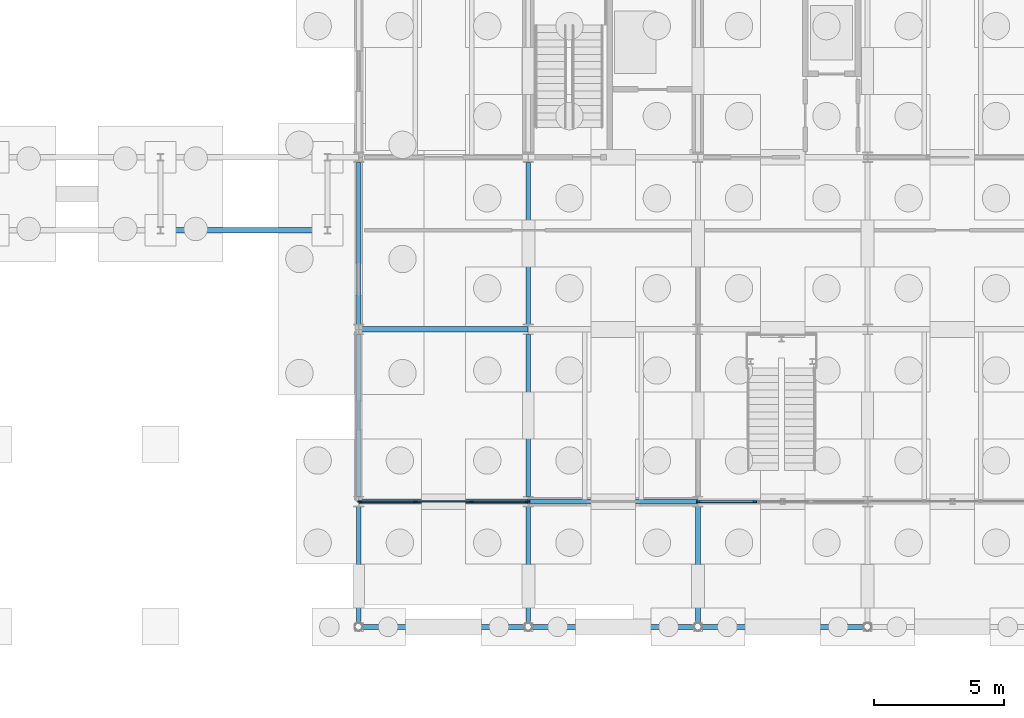
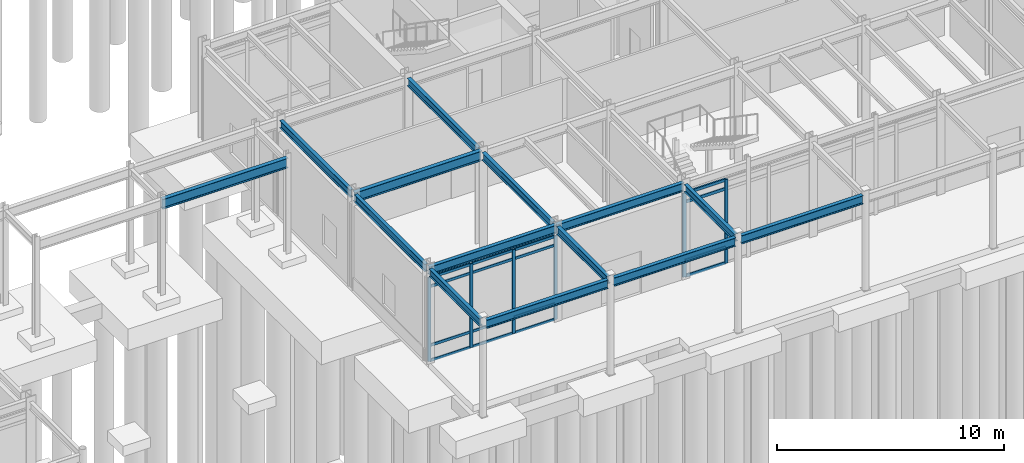
# One storey, part 35 of 82: 22 members, 14 beams, 2 elements without a shape of their own.
"""IFC4 building model written with IfcOpenShell, lengths in metres."""

import ifcopenshell
import ifcopenshell.guid

model = None  # the IFC model being written
_history = None  # IfcOwnerHistory: only IFC2X3 demands one
_inside = {}  # id of a spatial element -> (the spatial element, [elements in it])
_under = {}  # id of a project, library or spatial element -> (it, [spatial elements below it])
_declared = {}  # id of a project -> (the project, [libraries it declares])
_typed = {}  # id of a type object -> (the type object, [elements of that type])
_made_of = {}  # id of a material, layer set ... -> (it, [elements and type objects made of it])


def new_model(schema):
    """Start an empty IFC model of exactly this schema.

    Asked for "IFC4X3", IfcOpenShell would pick the latest addendum, in which some entities
    have other attributes; the version numbers below select the first issue.
    IFC2X3 requires an IfcOwnerHistory on every rooted entity: one is made here for all.
    """
    global model, _history
    if schema == "IFC4X3":
        model = ifcopenshell.file(schema_version=(4, 3, 0, 0))
    else:
        model = ifcopenshell.file(schema=schema)
    _inside.clear()
    _under.clear()
    _declared.clear()
    _typed.clear()
    _made_of.clear()
    _history = None
    if model.schema == "IFC2X3":
        org = make("IfcOrganization", Name="unknown")
        user = make(
            "IfcPersonAndOrganization",
            ThePerson=make("IfcPerson", FamilyName="unknown"),
            TheOrganization=org,
        )
        app = make(
            "IfcApplication",
            ApplicationDeveloper=org,
            Version="unknown",
            ApplicationFullName="unknown",
            ApplicationIdentifier="unknown",
        )
        _history = make(
            "IfcOwnerHistory",
            OwningUser=user,
            OwningApplication=app,
            ChangeAction="ADDED",
            CreationDate=0,
        )
    return model


def make(cls, **values):
    """One entity of the class cls with the attributes given. An attribute that is None is left unset."""
    return model.create_entity(
        cls, **{name: value for name, value in values.items() if value is not None}
    )


def rooted(cls, **values):
    """An entity with a GlobalId (a new one), such as an element, a storey or a relation."""
    return make(cls, GlobalId=ifcopenshell.guid.new(), OwnerHistory=_history, **values)


def si_unit(unit_type, name, prefix=None):
    """IfcSIUnit, for example si_unit("LENGTHUNIT", "METRE", prefix="MILLI")."""
    return make("IfcSIUnit", UnitType=unit_type, Prefix=prefix, Name=name)


def assignment(units):
    """IfcUnitAssignment: the units of a project."""
    return None if units is None else make("IfcUnitAssignment", Units=units)


def point(xyz):
    """IfcCartesianPoint."""
    return None if xyz is None else make("IfcCartesianPoint", Coordinates=xyz)


def direction(xyz):
    """IfcDirection."""
    return None if xyz is None else make("IfcDirection", DirectionRatios=xyz)


def frame(location, z_axis=None, x_axis=None):
    """IfcAxis2Placement3D, a coordinate frame: its origin and axes. An axis left out is left unset."""
    return make(
        "IfcAxis2Placement3D",
        Location=point(location),
        Axis=direction(z_axis),
        RefDirection=direction(x_axis),
    )


def frame_2d(location, x_axis=None):
    """IfcAxis2Placement2D, a coordinate frame in the plane: its origin and x axis."""
    return make(
        "IfcAxis2Placement2D", Location=point(location), RefDirection=direction(x_axis)
    )


def origin():
    """The frame at (0, 0, 0) with its axes left unset."""
    return frame((0.0, 0.0, 0.0))


def origin_2d():
    """The frame at (0, 0) in the plane with its x axis left unset."""
    return frame_2d((0.0, 0.0))


def place(relative_to, where):
    """IfcLocalPlacement: puts the frame where relative to a parent placement (None: the world)."""
    return make(
        "IfcLocalPlacement", PlacementRelTo=relative_to, RelativePlacement=where
    )


def context(
    kind, dimensions, precision=None, world=None, true_north=None, identifier=None
):
    """IfcGeometricRepresentationContext, for example the 3D "Model" context."""
    return make(
        "IfcGeometricRepresentationContext",
        ContextIdentifier=identifier,
        ContextType=kind,
        CoordinateSpaceDimension=dimensions,
        Precision=precision,
        WorldCoordinateSystem=world,
        TrueNorth=true_north,
    )


def subcontext(parent, identifier, kind, view, scale=None):
    """IfcGeometricRepresentationSubContext, for example "Body" below "Model"."""
    return make(
        "IfcGeometricRepresentationSubContext",
        ContextIdentifier=identifier,
        ContextType=kind,
        ParentContext=parent,
        TargetScale=scale,
        TargetView=view,
    )


def project(units=None, contexts=None):
    """IfcProject with its units and contexts."""
    return rooted(
        "IfcProject",
        Name="project",
        RepresentationContexts=contexts,
        UnitsInContext=assignment(units),
    )


def spatial(cls, under=None, at=None, **own):
    """A site, building, storey or space (cls), placed at a placement, below another one or the project."""
    s = rooted(cls, ObjectPlacement=at, **own)
    if under is not None:
        _under.setdefault(under.id(), (under, []))[1].append(s)
    return s


def profile(cls, at=None, kind="AREA", **sizes):
    """A parametric profile (cls). Its sizes go by their IFC names, for example OverallWidth=200.0."""
    return make(cls, ProfileType=kind, Position=at, **sizes)


def rectangle(**sizes):
    """IfcRectangleProfileDef."""
    return profile("IfcRectangleProfileDef", **sizes)


def i_section(**sizes):
    """IfcIShapeProfileDef."""
    return profile("IfcIShapeProfileDef", **sizes)


def extrude(swept, where, along, depth):
    """IfcExtrudedAreaSolid: the profile swept, set in the frame where, extruded along a direction by depth."""
    return make(
        "IfcExtrudedAreaSolid",
        SweptArea=swept,
        Position=where,
        ExtrudedDirection=direction(along),
        Depth=depth,
    )


def shape(context_of_items, identifier, shape_type, items):
    """IfcShapeRepresentation: the items that make up one representation, for example the "Body"."""
    return make(
        "IfcShapeRepresentation",
        ContextOfItems=context_of_items,
        RepresentationIdentifier=identifier,
        RepresentationType=shape_type,
        Items=items,
    )


def material(Name=None, Category=None):
    """IfcMaterial."""
    return make("IfcMaterial", Name=Name, Category=Category)


def layer(
    of_material, thickness, ventilated=None, Name=None, Category=None, Priority=None
):
    """IfcMaterialLayer: one layer of a wall or slab, of a material (None: an air gap)."""
    return make(
        "IfcMaterialLayer",
        Material=of_material,
        LayerThickness=thickness,
        IsVentilated=ventilated,
        Name=Name,
        Category=Category,
        Priority=Priority,
    )


def layer_set(layers, Name=None):
    """IfcMaterialLayerSet."""
    return make("IfcMaterialLayerSet", MaterialLayers=layers, LayerSetName=Name)


def material_profile(
    of_material, cross_section, Name=None, Category=None, Priority=None
):
    """IfcMaterialProfile: a cross section and its material."""
    return make(
        "IfcMaterialProfile",
        Name=Name,
        Material=of_material,
        Profile=cross_section,
        Priority=Priority,
        Category=Category,
    )


def profile_set(profiles, Name=None, composite=None):
    """IfcMaterialProfileSet."""
    return make(
        "IfcMaterialProfileSet",
        Name=Name,
        MaterialProfiles=profiles,
        CompositeProfile=composite,
    )


def made_of(thing, what):
    """Note that an element or type object is made of a material, layer set ...; save() writes the relation."""
    if what is not None:
        _made_of.setdefault(what.id(), (what, []))[1].append(thing)
    return thing


def type_object(cls, material=None, **own):
    """A type object (cls), such as IfcWallType, which elements share."""
    return made_of(rooted(cls, **own), material)


def element(
    cls,
    number,
    at=None,
    inside=None,
    cuts=None,
    type_object=None,
    material=None,
    context=None,
    identifier="Body",
    shape_type=None,
    held_by="IfcProductDefinitionShape",
    body=None,
    shapes=None,
    **own,
):
    """One element of the class cls, such as IfcWall. Its Tag is "e" and its number.

    at: its placement. inside: the storey or other place that contains it. cuts: it is an
    opening in that element (IfcRelVoidsElement). A single representation is given by context,
    identifier, shape_type and body (its items); several are given by shapes. held_by: the class
    of the entity that holds the representations. save() writes the other relations.
    """
    e = rooted(cls, Tag="e%d" % number, ObjectPlacement=at, **own)
    if body is not None:
        shapes = [shape(context, identifier, shape_type, body)]
    if shapes is not None:
        e.Representation = make(held_by, Representations=shapes)
    if inside is not None:
        _inside.setdefault(inside.id(), (inside, []))[1].append(e)
    if cuts is not None:
        rooted(
            "IfcRelVoidsElement", RelatingBuildingElement=cuts, RelatedOpeningElement=e
        )
    if type_object is not None:
        _typed.setdefault(type_object.id(), (type_object, []))[1].append(e)
    return made_of(e, material)


def aggregate(whole, parts):
    """IfcRelAggregates: a whole, such as a stair, and the parts it consists of."""
    return rooted("IfcRelAggregates", RelatingObject=whole, RelatedObjects=parts)


def save(model, path):
    """Write the relations noted so far, then the file.

    IfcRelAggregates (storeys below a building ...), IfcRelContainedInSpatialStructure (elements
    in a storey), IfcRelDefinesByType, IfcRelAssociatesMaterial and IfcRelDeclares: one each for
    every whole, place, type object, material and project.
    """
    for whole, parts in _under.values():
        aggregate(whole, parts)
    for where, things in _inside.values():
        rooted(
            "IfcRelContainedInSpatialStructure",
            RelatedElements=things,
            RelatingStructure=where,
        )
    for kind, things in _typed.values():
        rooted("IfcRelDefinesByType", RelatedObjects=things, RelatingType=kind)
    for what, things in _made_of.values():
        rooted("IfcRelAssociatesMaterial", RelatedObjects=things, RelatingMaterial=what)
    for by, libraries in _declared.values():
        rooted("IfcRelDeclares", RelatingContext=by, RelatedDefinitions=libraries)
    model.write(path)


model = new_model("IFC4")

# Units and contexts
model_context = context("Model", 3, precision=1e-05, world=origin(), true_north=direction((0.0, 1.0)))
body_context = subcontext(model_context, "Body", "Model", "MODEL_VIEW")
ifc_project = project(units=[si_unit("LENGTHUNIT", "METRE"), si_unit("AREAUNIT", "SQUARE_METRE"), si_unit("VOLUMEUNIT", "CUBIC_METRE"), si_unit("PLANEANGLEUNIT", "RADIAN"), si_unit("MASSUNIT", "GRAM", prefix="KILO")], contexts=[model_context])

# Site, building, storey
site_placement = place(None, origin())
site = spatial("IfcSite", under=ifc_project, at=site_placement, CompositionType="ELEMENT")
building_placement = place(site_placement, origin())
building = spatial("IfcBuilding", under=site, at=building_placement, Name="Trelmorton Wharf Fire Station", CompositionType="ELEMENT")
storey_placement = place(building_placement, origin())
storey = spatial("IfcBuildingStorey", under=building, at=storey_placement, Name="L00", CompositionType="ELEMENT", Elevation=0.0)

# Beams
ifc_material_1 = material(Name="Steel Grade 350", Category="steel")
ifc_material_profile_1 = material_profile(ifc_material_1, i_section(OverallWidth=0.177978515625, OverallDepth=0.406005859375, WebThickness=0.0078125, FlangeThickness=0.0126953125, FilletRadius=0.011474609375, at=origin_2d()), Name="410UB59.7")
ifc_profile_set_1 = profile_set([ifc_material_profile_1], Name="Steel Grade 350")
beam_type_1 = type_object("IfcBeamType", Name="BM_410UB60", PredefinedType="BEAM", material=ifc_profile_set_1)
beam_1_placement = place(storey_placement, frame((104.0, 3.157958984375, 4.927001953125), z_axis=(0.0, 1.0, 0.0), x_axis=(-1.0, 0.0, 0.0)))
element("IfcBeam", 1, at=beam_1_placement, inside=storey, type_object=beam_type_1, Name="BM-L00-0313", PredefinedType="BEAM", context=body_context, shape_type="SweptSolid", body=[
    extrude(i_section(OverallWidth=0.177978515625, OverallDepth=0.406005859375, WebThickness=0.0078125, FlangeThickness=0.0126953125, FilletRadius=0.011474609375, at=origin_2d()), origin(), (0.0, 0.0, 1.0), 4.446044921875),
])
for number, where, z_axis, x_axis, name in (
    (2, (104.0, 7.99609375, 4.927001953125), (0.0, 1.0, 0.0), (-1.0, 0.0, 0.0), "BM-L00-0314"),
    (3, (104.0, 14.595947265625, 4.927001953125), (0.0, 1.0, 0.0), (-1.0, 0.0, 0.0), "BM-L00-0315"),
):
    element("IfcBeam", number, at=place(storey_placement, frame(where, z_axis=z_axis, x_axis=x_axis)), inside=storey, type_object=beam_type_1, Name=name, PredefinedType="BEAM", context=body_context, shape_type="SweptSolid", body=[
        extrude(i_section(OverallWidth=0.177978515625, OverallDepth=0.406005859375, WebThickness=0.0078125, FlangeThickness=0.0126953125, FilletRadius=0.011474609375, at=origin_2d()), origin(), (0.0, 0.0, 1.0), 6.2080078125),
    ])
beam_2_placement = place(storey_placement, frame((110.5, 3.157958984375, 4.927001953125), z_axis=(0.0, 1.0, 0.0), x_axis=(-1.0, 0.0, 0.0)))
element("IfcBeam", 4, at=beam_2_placement, inside=storey, type_object=beam_type_1, Name="BM-L00-0321", PredefinedType="BEAM", context=body_context, shape_type="SweptSolid", body=[
    extrude(i_section(OverallWidth=0.177978515625, OverallDepth=0.406005859375, WebThickness=0.0078125, FlangeThickness=0.0126953125, FilletRadius=0.011474609375, at=origin_2d()), origin(), (0.0, 0.0, 1.0), 4.446044921875),
])
for number, where, z_axis, x_axis, name in (
    (5, (110.5, 7.99609375, 4.927001953125), (0.0, 1.0, 0.0), (-1.0, 0.0, 0.0), "BM-L00-0322"),
    (6, (110.5, 14.595947265625, 4.927001953125), (0.0, 1.0, 0.0), (-1.0, 0.0, 0.0), "BM-L00-0323"),
):
    element("IfcBeam", number, at=place(storey_placement, frame(where, z_axis=z_axis, x_axis=x_axis)), inside=storey, type_object=beam_type_1, Name=name, PredefinedType="BEAM", context=body_context, shape_type="SweptSolid", body=[
        extrude(i_section(OverallWidth=0.177978515625, OverallDepth=0.406005859375, WebThickness=0.0078125, FlangeThickness=0.0126953125, FilletRadius=0.011474609375, at=origin_2d()), origin(), (0.0, 0.0, 1.0), 6.2080078125),
    ])
beam_3_placement = place(storey_placement, frame((117.0, 3.157958984375, 4.927001953125), z_axis=(0.0, 1.0, 0.0), x_axis=(-1.0, 0.0, 0.0)))
element("IfcBeam", 7, at=beam_3_placement, inside=storey, type_object=beam_type_1, Name="BM-L00-0329", PredefinedType="BEAM", context=body_context, shape_type="SweptSolid", body=[
    extrude(i_section(OverallWidth=0.177978515625, OverallDepth=0.406005859375, WebThickness=0.0078125, FlangeThickness=0.0126953125, FilletRadius=0.011474609375, at=origin_2d()), origin(), (0.0, 0.0, 1.0), 4.446044921875),
])
ifc_material_profile_2 = material_profile(ifc_material_1, i_section(OverallWidth=0.208984375, OverallDepth=0.532958984375, WebThickness=0.01025390625, FlangeThickness=0.015625, FilletRadius=0.013916015625, at=origin_2d()), Name="530UB92.4")
ifc_profile_set_2 = profile_set([ifc_material_profile_2], Name="Steel Grade 350")
beam_type_2 = type_object("IfcBeamType", Name="BM_530UB92", PredefinedType="BEAM", material=ifc_profile_set_2)
beam_4_placement = place(storey_placement, frame((104.008056640625, 14.39990234375, 4.863525390625), z_axis=(1.0, 0.0, 0.0), x_axis=(0.0, 1.0, 0.0)))
element("IfcBeam", 8, at=beam_4_placement, inside=storey, type_object=beam_type_2, Name="BM-L00-0049", PredefinedType="BEAM", context=body_context, shape_type="SweptSolid", body=[
    extrude(i_section(OverallWidth=0.208984375, OverallDepth=0.532958984375, WebThickness=0.01025390625, FlangeThickness=0.015625, FilletRadius=0.013916015625, at=origin_2d()), origin(), (0.0, 0.0, 1.0), 6.48388671875),
])
beam_5_placement = place(storey_placement, frame((96.404052734375, 18.199951171875, 4.863525390625), z_axis=(1.0, 0.0, 0.0), x_axis=(0.0, 1.0, 0.0)))
element("IfcBeam", 9, at=beam_5_placement, inside=storey, type_object=beam_type_2, Name="BM-L00-0059", PredefinedType="BEAM", context=body_context, shape_type="SweptSolid", body=[
    extrude(i_section(OverallWidth=0.208984375, OverallDepth=0.532958984375, WebThickness=0.01025390625, FlangeThickness=0.015625, FilletRadius=0.013916015625, at=origin_2d()), origin(), (0.0, 0.0, 1.0), 6.391845703125),
])
ifc_material_2 = material(Name="Signal-red architectural steel Grade 350", Category="steel")
ifc_material_profile_3 = material_profile(ifc_material_2, i_section(OverallWidth=0.19091796875, OverallDepth=0.4599609375, WebThickness=0.010009765625, FlangeThickness=0.01611328125, FilletRadius=0.011474609375, at=origin_2d()), Name="460UB82.1")
ifc_profile_set_3 = profile_set([ifc_material_profile_3], Name="Signal-red architectural steel Grade 350")
beam_type_3 = type_object("IfcBeamType", Name="BM_RED_460UB82", PredefinedType="BEAM", material=ifc_profile_set_3)
for number, where, z_axis, x_axis, name in (
    (10, (104.157958984375, 3.0, 4.89990234375), (1.0, 0.0, 0.0), (0.0, 1.0, 0.0), "BM-L00-0015"),
    (11, (110.657958984375, 3.0, 4.89990234375), (1.0, 0.0, 0.0), (0.0, 1.0, 0.0), "BM-L00-0016"),
    (12, (117.157958984375, 3.0, 4.89990234375), (1.0, 0.0, 0.0), (0.0, 1.0, 0.0), "BM-L00-0017"),
):
    element("IfcBeam", number, at=place(storey_placement, frame(where, z_axis=z_axis, x_axis=x_axis)), inside=storey, type_object=beam_type_3, Name=name, PredefinedType="BEAM", context=body_context, shape_type="SweptSolid", body=[
        extrude(i_section(OverallWidth=0.19091796875, OverallDepth=0.4599609375, WebThickness=0.010009765625, FlangeThickness=0.01611328125, FilletRadius=0.011474609375, at=origin_2d()), origin(), (0.0, 0.0, 1.0), 6.18408203125),
    ])

# Curtain wall, members
ifc_material_3 = material(Name="Anodised aluminium AW-6063", Category="aluminium")
ifc_layer = layer(ifc_material_3, 0.159912109375)
ifc_layer_set = layer_set([ifc_layer], Name="Anodised aluminium AW-6063")
curtain_wall_type = type_object("IfcCurtainWallType", Name="CW_CHIC_A", PredefinedType="USERDEFINED", material=ifc_layer_set)
curtain_wall_1_placement = place(storey_placement, origin())
curtain_wall_1 = element("IfcCurtainWall", 13, at=curtain_wall_1_placement, inside=storey, type_object=curtain_wall_type, Name="CW-V5-L00-029", ObjectType="CHICAGO BAY CURTAIN WALL", PredefinedType="USERDEFINED")
ifc_material_profile_4 = material_profile(ifc_material_3, rectangle(XDim=0.06494140625, YDim=0.159912109375, at=origin_2d()), Name="ALU-65x160")
ifc_profile_set_4 = profile_set([ifc_material_profile_4], Name="Anodised aluminium AW-6063")
member_type_1 = type_object("IfcMemberType", Name="CWM_65x160", PredefinedType="MULLION", material=ifc_profile_set_4)
member_1_placement = place(storey_placement, frame((110.465087890625, 7.800048828125, 0.0), z_axis=(0.0, 0.0, 1.0), x_axis=(0.0, -1.0, 0.0)))
member_1 = element("IfcMember", 14, at=member_1_placement, type_object=member_type_1, Name="CW1 mullion 1", PredefinedType="MULLION", context=body_context, shape_type="SweptSolid", body=[
    extrude(rectangle(XDim=0.06494140625, YDim=0.159912109375, at=origin_2d()), origin(), (0.0, 0.0, 1.0), 4.52001953125),
])
member_2_placement = place(storey_placement, frame((108.331787109375, 7.800048828125, 0.0), z_axis=(0.0, 0.0, 1.0), x_axis=(0.0, -1.0, 0.0)))
member_2 = element("IfcMember", 15, at=member_2_placement, type_object=member_type_1, Name="CW1 mullion 2", PredefinedType="MULLION", context=body_context, shape_type="SweptSolid", body=[
    extrude(rectangle(XDim=0.06494140625, YDim=0.159912109375, at=origin_2d()), origin(), (0.0, 0.0, 1.0), 4.52001953125),
])
member_3_placement = place(storey_placement, frame((106.168212890625, 7.800048828125, 0.0), z_axis=(0.0, 0.0, 1.0), x_axis=(0.0, -1.0, 0.0)))
member_3 = element("IfcMember", 16, at=member_3_placement, type_object=member_type_1, Name="CW1 mullion 3", PredefinedType="MULLION", context=body_context, shape_type="SweptSolid", body=[
    extrude(rectangle(XDim=0.06494140625, YDim=0.159912109375, at=origin_2d()), origin(), (0.0, 0.0, 1.0), 4.52001953125),
])
member_4_placement = place(storey_placement, frame((104.034912109375, 7.800048828125, 0.0), z_axis=(0.0, 0.0, 1.0), x_axis=(0.0, -1.0, 0.0)))
member_4 = element("IfcMember", 17, at=member_4_placement, type_object=member_type_1, Name="CW1 mullion 4", PredefinedType="MULLION", context=body_context, shape_type="SweptSolid", body=[
    extrude(rectangle(XDim=0.06494140625, YDim=0.159912109375, at=origin_2d()), origin(), (0.0, 0.0, 1.0), 4.52001953125),
])

curtain_wall_2_placement = place(storey_placement, origin())
curtain_wall_2 = element("IfcCurtainWall", 18, at=curtain_wall_2_placement, inside=storey, type_object=curtain_wall_type, Name="CW-V5-L00-030", ObjectType="CHICAGO BAY CURTAIN WALL", PredefinedType="USERDEFINED")
ifc_material_profile_5 = material_profile(ifc_material_3, rectangle(XDim=0.074951171875, YDim=0.175048828125, at=origin_2d()), Name="ALU-75x175")
ifc_profile_set_5 = profile_set([ifc_material_profile_5], Name="Anodised aluminium AW-6063")
member_type_2 = type_object("IfcMemberType", Name="CWM_75x175", PredefinedType="MULLION", material=ifc_profile_set_5)
member_5_placement = place(storey_placement, frame((119.168212890625, 7.800048828125, 0.0), z_axis=(0.0, 0.0, 1.0), x_axis=(0.0, -1.0, 0.0)))
member_5 = element("IfcMember", 19, at=member_5_placement, type_object=member_type_2, Name="CW1 mullion 3", PredefinedType="MULLION", context=body_context, shape_type="SweptSolid", body=[
    extrude(rectangle(XDim=0.074951171875, YDim=0.175048828125, at=origin_2d()), origin(), (0.0, 0.0, 1.0), 4.52001953125),
])
member_6_placement = place(storey_placement, frame((117.034912109375, 7.800048828125, 0.0), z_axis=(0.0, 0.0, 1.0), x_axis=(0.0, -1.0, 0.0)))
member_6 = element("IfcMember", 20, at=member_6_placement, type_object=member_type_2, Name="CW1 mullion 4", PredefinedType="MULLION", context=body_context, shape_type="SweptSolid", body=[
    extrude(rectangle(XDim=0.074951171875, YDim=0.175048828125, at=origin_2d()), origin(), (0.0, 0.0, 1.0), 4.52001953125),
])

# Member
ifc_material_profile_6 = material_profile(ifc_material_3, rectangle(XDim=0.06494140625, YDim=0.139892578125, at=origin_2d()), Name="ALU-65x140")
ifc_profile_set_6 = profile_set([ifc_material_profile_6], Name="Anodised aluminium AW-6063")
member_type_3 = type_object("IfcMemberType", Name="CWT_65x140", PredefinedType="USERDEFINED", material=ifc_profile_set_6)
member_7_placement = place(storey_placement, frame((110.43505859375, 7.800048828125, 0.030029296875), z_axis=(-1.0, 0.0, 0.0), x_axis=(0.0, -1.0, 0.0)))
member_7 = element("IfcMember", 21, at=member_7_placement, type_object=member_type_3, Name="CW1 transom 1.1", ObjectType="TRANSOM", PredefinedType="USERDEFINED", context=body_context, shape_type="SweptSolid", body=[
    extrude(rectangle(XDim=0.06494140625, YDim=0.139892578125, at=origin_2d()), origin(), (0.0, 0.0, 1.0), 2.073486328125),
])

member_8_placement = place(storey_placement, frame((110.43505859375, 7.800048828125, 0.85009765625), z_axis=(-1.0, 0.0, 0.0), x_axis=(0.0, -1.0, 0.0)))
member_8 = element("IfcMember", 22, at=member_8_placement, type_object=member_type_3, Name="CW1 transom 1.2", ObjectType="TRANSOM", PredefinedType="USERDEFINED", context=body_context, shape_type="SweptSolid", body=[
    extrude(rectangle(XDim=0.06494140625, YDim=0.139892578125, at=origin_2d()), origin(), (0.0, 0.0, 1.0), 2.073486328125),
])

member_9_placement = place(storey_placement, frame((110.43505859375, 7.800048828125, 4.02001953125), z_axis=(-1.0, 0.0, 0.0), x_axis=(0.0, -1.0, 0.0)))
member_9 = element("IfcMember", 23, at=member_9_placement, type_object=member_type_3, Name="CW1 transom 1.3", ObjectType="TRANSOM", PredefinedType="USERDEFINED", context=body_context, shape_type="SweptSolid", body=[
    extrude(rectangle(XDim=0.06494140625, YDim=0.139892578125, at=origin_2d()), origin(), (0.0, 0.0, 1.0), 2.073486328125),
])

member_10_placement = place(storey_placement, frame((110.43505859375, 7.800048828125, 4.489990234375), z_axis=(-1.0, 0.0, 0.0), x_axis=(0.0, -1.0, 0.0)))
member_10 = element("IfcMember", 24, at=member_10_placement, type_object=member_type_3, Name="CW1 transom 1.4", ObjectType="TRANSOM", PredefinedType="USERDEFINED", context=body_context, shape_type="SweptSolid", body=[
    extrude(rectangle(XDim=0.06494140625, YDim=0.139892578125, at=origin_2d()), origin(), (0.0, 0.0, 1.0), 2.073486328125),
])

member_11_placement = place(storey_placement, frame((108.3017578125, 7.800048828125, 0.030029296875), z_axis=(-1.0, 0.0, 0.0), x_axis=(0.0, -1.0, 0.0)))
member_11 = element("IfcMember", 25, at=member_11_placement, type_object=member_type_3, Name="CW1 transom 2.1", ObjectType="TRANSOM", PredefinedType="USERDEFINED", context=body_context, shape_type="SweptSolid", body=[
    extrude(rectangle(XDim=0.06494140625, YDim=0.139892578125, at=origin_2d()), origin(), (0.0, 0.0, 1.0), 2.103515625),
])

member_12_placement = place(storey_placement, frame((108.3017578125, 7.800048828125, 0.85009765625), z_axis=(-1.0, 0.0, 0.0), x_axis=(0.0, -1.0, 0.0)))
member_12 = element("IfcMember", 26, at=member_12_placement, type_object=member_type_3, Name="CW1 transom 2.2", ObjectType="TRANSOM", PredefinedType="USERDEFINED", context=body_context, shape_type="SweptSolid", body=[
    extrude(rectangle(XDim=0.06494140625, YDim=0.139892578125, at=origin_2d()), origin(), (0.0, 0.0, 1.0), 2.103515625),
])

member_13_placement = place(storey_placement, frame((108.3017578125, 7.800048828125, 4.02001953125), z_axis=(-1.0, 0.0, 0.0), x_axis=(0.0, -1.0, 0.0)))
member_13 = element("IfcMember", 27, at=member_13_placement, type_object=member_type_3, Name="CW1 transom 2.3", ObjectType="TRANSOM", PredefinedType="USERDEFINED", context=body_context, shape_type="SweptSolid", body=[
    extrude(rectangle(XDim=0.06494140625, YDim=0.139892578125, at=origin_2d()), origin(), (0.0, 0.0, 1.0), 2.103515625),
])

member_14_placement = place(storey_placement, frame((108.3017578125, 7.800048828125, 4.489990234375), z_axis=(-1.0, 0.0, 0.0), x_axis=(0.0, -1.0, 0.0)))
member_14 = element("IfcMember", 28, at=member_14_placement, type_object=member_type_3, Name="CW1 transom 2.4", ObjectType="TRANSOM", PredefinedType="USERDEFINED", context=body_context, shape_type="SweptSolid", body=[
    extrude(rectangle(XDim=0.06494140625, YDim=0.139892578125, at=origin_2d()), origin(), (0.0, 0.0, 1.0), 2.103515625),
])

member_15_placement = place(storey_placement, frame((106.138427734375, 7.800048828125, 0.030029296875), z_axis=(-1.0, 0.0, 0.0), x_axis=(0.0, -1.0, 0.0)))
member_15 = element("IfcMember", 29, at=member_15_placement, type_object=member_type_3, Name="CW1 transom 3.1", ObjectType="TRANSOM", PredefinedType="USERDEFINED", context=body_context, shape_type="SweptSolid", body=[
    extrude(rectangle(XDim=0.06494140625, YDim=0.139892578125, at=origin_2d()), origin(), (0.0, 0.0, 1.0), 2.073486328125),
])

member_16_placement = place(storey_placement, frame((106.138427734375, 7.800048828125, 0.85009765625), z_axis=(-1.0, 0.0, 0.0), x_axis=(0.0, -1.0, 0.0)))
member_16 = element("IfcMember", 30, at=member_16_placement, type_object=member_type_3, Name="CW1 transom 3.2", ObjectType="TRANSOM", PredefinedType="USERDEFINED", context=body_context, shape_type="SweptSolid", body=[
    extrude(rectangle(XDim=0.06494140625, YDim=0.139892578125, at=origin_2d()), origin(), (0.0, 0.0, 1.0), 2.073486328125),
])

member_17_placement = place(storey_placement, frame((106.138427734375, 7.800048828125, 4.02001953125), z_axis=(-1.0, 0.0, 0.0), x_axis=(0.0, -1.0, 0.0)))
member_17 = element("IfcMember", 31, at=member_17_placement, type_object=member_type_3, Name="CW1 transom 3.3", ObjectType="TRANSOM", PredefinedType="USERDEFINED", context=body_context, shape_type="SweptSolid", body=[
    extrude(rectangle(XDim=0.06494140625, YDim=0.139892578125, at=origin_2d()), origin(), (0.0, 0.0, 1.0), 2.073486328125),
])

member_18_placement = place(storey_placement, frame((106.138427734375, 7.800048828125, 4.489990234375), z_axis=(-1.0, 0.0, 0.0), x_axis=(0.0, -1.0, 0.0)))
member_18 = element("IfcMember", 32, at=member_18_placement, type_object=member_type_3, Name="CW1 transom 3.4", ObjectType="TRANSOM", PredefinedType="USERDEFINED", context=body_context, shape_type="SweptSolid", body=[
    extrude(rectangle(XDim=0.06494140625, YDim=0.139892578125, at=origin_2d()), origin(), (0.0, 0.0, 1.0), 2.073486328125),
])

aggregate(curtain_wall_1, [member_1, member_2, member_3, member_4, member_7, member_8, member_9, member_10, member_11, member_12, member_13, member_14, member_15, member_16, member_17, member_18])

ifc_material_profile_7 = material_profile(ifc_material_3, rectangle(XDim=0.074951171875, YDim=0.155029296875, at=origin_2d()), Name="ALU-75x155")
ifc_profile_set_7 = profile_set([ifc_material_profile_7], Name="Anodised aluminium AW-6063")
member_type_4 = type_object("IfcMemberType", Name="CWT_75x155", PredefinedType="USERDEFINED", material=ifc_profile_set_7)
member_19_placement = place(storey_placement, frame((119.138427734375, 7.800048828125, 0.030029296875), z_axis=(-1.0, 0.0, 0.0), x_axis=(0.0, -1.0, 0.0)))
member_19 = element("IfcMember", 33, at=member_19_placement, type_object=member_type_4, Name="CW1 transom 3.1", ObjectType="TRANSOM", PredefinedType="USERDEFINED", context=body_context, shape_type="SweptSolid", body=[
    extrude(rectangle(XDim=0.074951171875, YDim=0.155029296875, at=origin_2d()), origin(), (0.0, 0.0, 1.0), 2.073486328125),
])

member_20_placement = place(storey_placement, frame((119.138427734375, 7.800048828125, 0.85009765625), z_axis=(-1.0, 0.0, 0.0), x_axis=(0.0, -1.0, 0.0)))
member_20 = element("IfcMember", 34, at=member_20_placement, type_object=member_type_4, Name="CW1 transom 3.2", ObjectType="TRANSOM", PredefinedType="USERDEFINED", context=body_context, shape_type="SweptSolid", body=[
    extrude(rectangle(XDim=0.074951171875, YDim=0.155029296875, at=origin_2d()), origin(), (0.0, 0.0, 1.0), 2.073486328125),
])

member_21_placement = place(storey_placement, frame((119.138427734375, 7.800048828125, 4.02001953125), z_axis=(-1.0, 0.0, 0.0), x_axis=(0.0, -1.0, 0.0)))
member_21 = element("IfcMember", 35, at=member_21_placement, type_object=member_type_4, Name="CW1 transom 3.3", ObjectType="TRANSOM", PredefinedType="USERDEFINED", context=body_context, shape_type="SweptSolid", body=[
    extrude(rectangle(XDim=0.074951171875, YDim=0.155029296875, at=origin_2d()), origin(), (0.0, 0.0, 1.0), 2.073486328125),
])

member_22_placement = place(storey_placement, frame((119.138427734375, 7.800048828125, 4.489990234375), z_axis=(-1.0, 0.0, 0.0), x_axis=(0.0, -1.0, 0.0)))
member_22 = element("IfcMember", 36, at=member_22_placement, type_object=member_type_4, Name="CW1 transom 3.4", ObjectType="TRANSOM", PredefinedType="USERDEFINED", context=body_context, shape_type="SweptSolid", body=[
    extrude(rectangle(XDim=0.074951171875, YDim=0.155029296875, at=origin_2d()), origin(), (0.0, 0.0, 1.0), 2.073486328125),
])

aggregate(curtain_wall_2, [member_5, member_6, member_19, member_20, member_21, member_22])

# Beams
ifc_material_profile_8 = material_profile(ifc_material_1, i_section(OverallWidth=0.18994140625, OverallDepth=0.45703125, WebThickness=0.009033203125, FlangeThickness=0.014404296875, FilletRadius=0.011474609375, at=origin_2d()), Name="460UB74.6")
ifc_profile_set_8 = profile_set([ifc_material_profile_8], Name="Steel Grade 350")
beam_type_4 = type_object("IfcBeamType", Name="SP_460UB75", PredefinedType="SPANDREL", material=ifc_profile_set_8)
for number, where, z_axis, x_axis, name in (
    (37, (104.008056640625, 7.800048828125, 4.901611328125), (1.0, 0.0, 0.0), (0.0, 1.0, 0.0), "BM-L00-0038"),
    (38, (110.508056640625, 7.800048828125, 4.901611328125), (1.0, 0.0, 0.0), (0.0, 1.0, 0.0), "BM-L00-0039"),
):
    element("IfcBeam", number, at=place(storey_placement, frame(where, z_axis=z_axis, x_axis=x_axis)), inside=storey, type_object=beam_type_4, Name=name, PredefinedType="SPANDREL", context=body_context, shape_type="SweptSolid", body=[
        extrude(i_section(OverallWidth=0.18994140625, OverallDepth=0.45703125, WebThickness=0.009033203125, FlangeThickness=0.014404296875, FilletRadius=0.011474609375, at=origin_2d()), origin(), (0.0, 0.0, 1.0), 6.48388671875),
    ])

save(model, "model.ifc")
